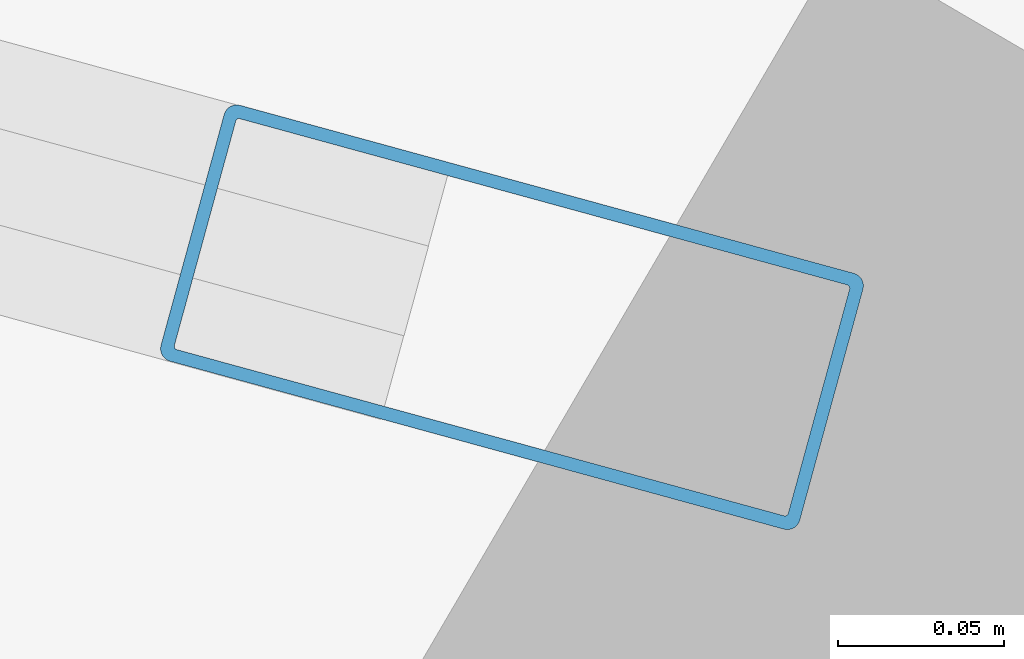
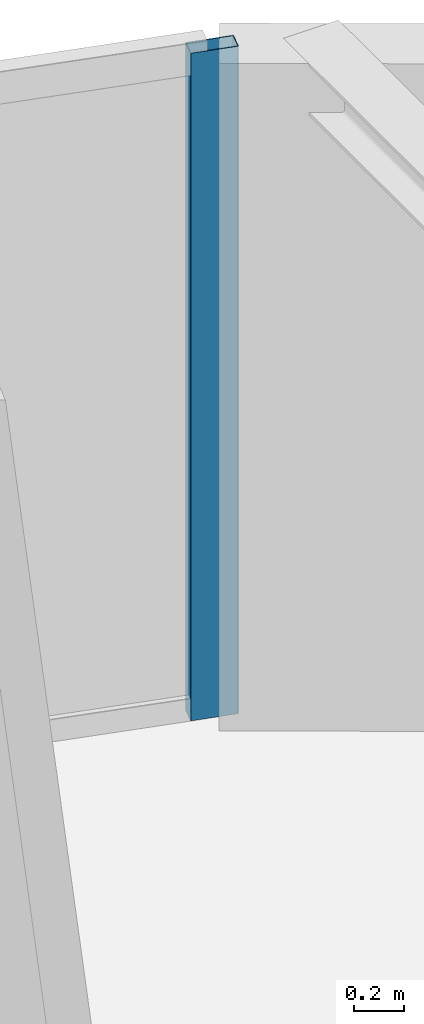
# One storey, part 18 of 26: 1 member, 1 element without a shape of its own.
"""IFC4 building model written with IfcOpenShell, lengths in metres."""

from ifc_helpers import new_model, si_unit, direction, frame, origin, origin_2d, place, context, subcontext, project, spatial, hollow_rectangle, extrude, material, layer, layer_set, material_profile, profile_set, type_object, element, aggregate, save


model = new_model("IFC4")

# Units and contexts
model_context = context("Model", 3, precision=1e-05, world=origin(), true_north=direction((0.0, 1.0)))
body_context = subcontext(model_context, "Body", "Model", "MODEL_VIEW")
ifc_project = project(units=[si_unit("LENGTHUNIT", "METRE"), si_unit("AREAUNIT", "SQUARE_METRE"), si_unit("VOLUMEUNIT", "CUBIC_METRE"), si_unit("PLANEANGLEUNIT", "RADIAN"), si_unit("MASSUNIT", "GRAM", prefix="KILO")], contexts=[model_context])

# Site, building, storey
site_placement = place(None, origin())
site = spatial("IfcSite", under=ifc_project, at=site_placement, CompositionType="ELEMENT")
building_placement = place(site_placement, origin())
building = spatial("IfcBuilding", under=site, at=building_placement, Name="Bramvorn Convention Spire", CompositionType="ELEMENT")
storey_placement = place(building_placement, frame((0.0, 0.0, 123.800048828125)))
storey = spatial("IfcBuildingStorey", under=building, at=storey_placement, Name="L30", CompositionType="ELEMENT", Elevation=123.800048828125)

# Curtain wall, member
ifc_material_1 = material(Name="Anodised Bronze Unitised Curtain Wall", Category="aluminium")
ifc_layer = layer(ifc_material_1, 0.179931640625)
ifc_layer_set = layer_set([ifc_layer], Name="Anodised Bronze Unitised Curtain Wall - CW-HTL-FRIT")
curtain_wall_type = type_object("IfcCurtainWallType", Name="CW-HTL-FRIT", PredefinedType="USERDEFINED", material=ifc_layer_set)
curtain_wall_placement = place(storey_placement, origin())
curtain_wall = element("IfcCurtainWall", 1, at=curtain_wall_placement, inside=storey, type_object=curtain_wall_type, Name="L30 fritted glass curtain wall 07", ObjectType="UNITISED CURTAIN WALL", PredefinedType="USERDEFINED")
ifc_material_2 = material(Name="Anodised Bronze Aluminium 6063-T6", Category="aluminium")
ifc_material_profile = material_profile(ifc_material_2, hollow_rectangle(XDim=0.080078125, YDim=0.199951171875, WallThickness=0.00390625, InnerFilletRadius=0.0009765625, OuterFilletRadius=0.00390625, at=origin_2d()))
ifc_profile_set = profile_set([ifc_material_profile], Name="Anodised Bronze Aluminium 6063-T6 - CWM80X200")
member_type = type_object("IfcMemberType", Name="CW-MUL-180", PredefinedType="MULLION", material=ifc_profile_set)
member_placement = place(storey_placement, frame((45.687255859375, 47.46044921875, 0.0), z_axis=(0.0, 0.0, 1.0), x_axis=(0.263919316475, 0.96454476018, 0.0)))
member = element("IfcMember", 2, at=member_placement, type_object=member_type, Name="CW2 mullion 2", PredefinedType="MULLION", context=body_context, shape_type="SweptSolid", body=[
    extrude(hollow_rectangle(XDim=0.080078125, YDim=0.199951171875, WallThickness=0.00390625, InnerFilletRadius=0.0009765625, OuterFilletRadius=0.00390625, at=origin_2d()), origin(), (0.0, 0.0, 1.0), 3.260009765625),
])
aggregate(curtain_wall, [member])

save(model, "model.ifc")
